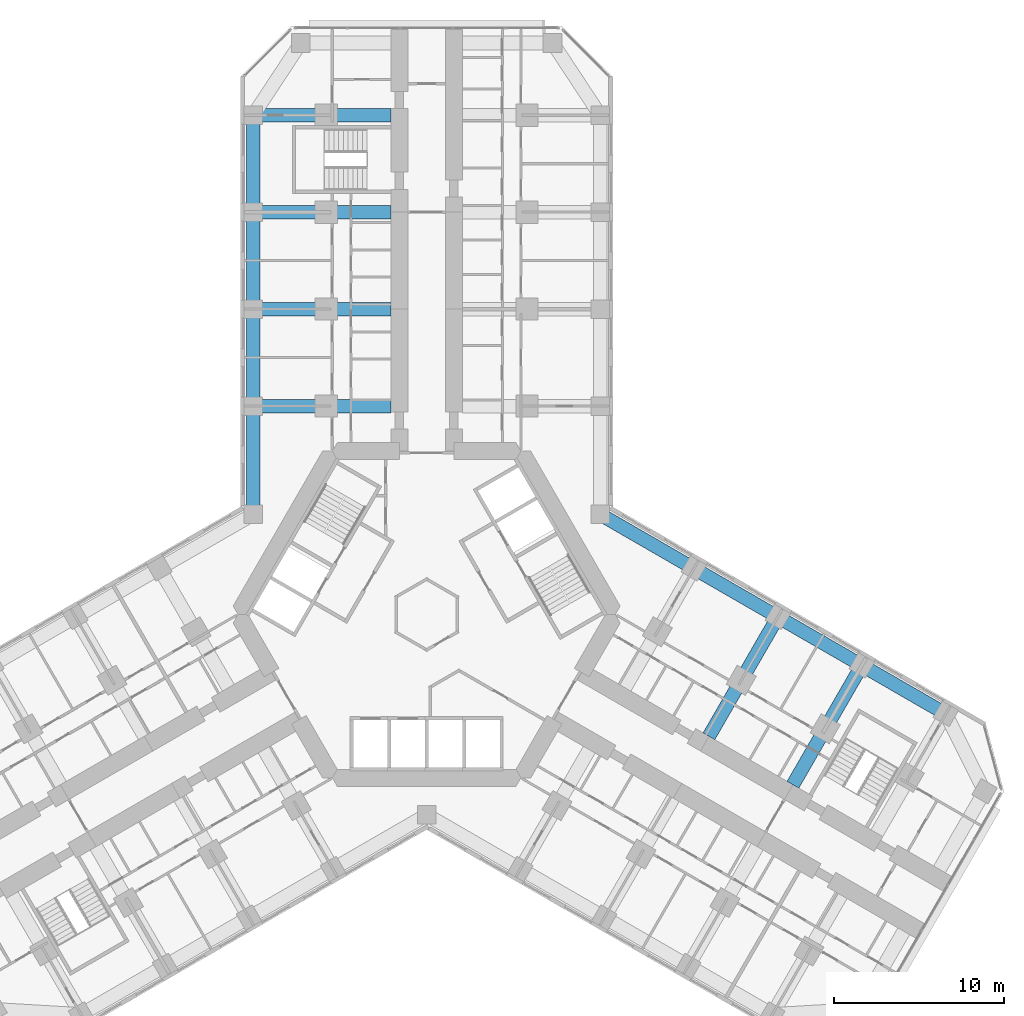
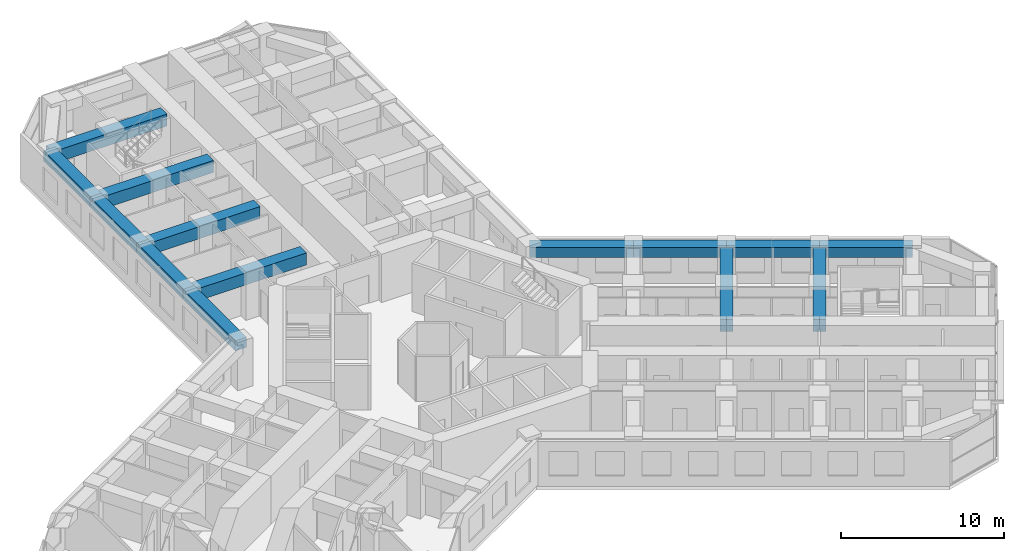
# One storey, part 6 of 21: 14 beams.
"""IFC4 building model written with IfcOpenShell, lengths in metres."""

import ifcopenshell
import ifcopenshell.guid

model = None  # the IFC model being written
_history = None  # IfcOwnerHistory: only IFC2X3 demands one
_inside = {}  # id of a spatial element -> (the spatial element, [elements in it])
_under = {}  # id of a project, library or spatial element -> (it, [spatial elements below it])
_declared = {}  # id of a project -> (the project, [libraries it declares])
_typed = {}  # id of a type object -> (the type object, [elements of that type])
_made_of = {}  # id of a material, layer set ... -> (it, [elements and type objects made of it])


def new_model(schema):
    """Start an empty IFC model of exactly this schema.

    Asked for "IFC4X3", IfcOpenShell would pick the latest addendum, in which some entities
    have other attributes; the version numbers below select the first issue.
    IFC2X3 requires an IfcOwnerHistory on every rooted entity: one is made here for all.
    """
    global model, _history
    if schema == "IFC4X3":
        model = ifcopenshell.file(schema_version=(4, 3, 0, 0))
    else:
        model = ifcopenshell.file(schema=schema)
    _inside.clear()
    _under.clear()
    _declared.clear()
    _typed.clear()
    _made_of.clear()
    _history = None
    if model.schema == "IFC2X3":
        org = make("IfcOrganization", Name="unknown")
        user = make(
            "IfcPersonAndOrganization",
            ThePerson=make("IfcPerson", FamilyName="unknown"),
            TheOrganization=org,
        )
        app = make(
            "IfcApplication",
            ApplicationDeveloper=org,
            Version="unknown",
            ApplicationFullName="unknown",
            ApplicationIdentifier="unknown",
        )
        _history = make(
            "IfcOwnerHistory",
            OwningUser=user,
            OwningApplication=app,
            ChangeAction="ADDED",
            CreationDate=0,
        )
    return model


def make(cls, **values):
    """One entity of the class cls with the attributes given. An attribute that is None is left unset."""
    return model.create_entity(
        cls, **{name: value for name, value in values.items() if value is not None}
    )


def rooted(cls, **values):
    """An entity with a GlobalId (a new one), such as an element, a storey or a relation."""
    return make(cls, GlobalId=ifcopenshell.guid.new(), OwnerHistory=_history, **values)


def si_unit(unit_type, name, prefix=None):
    """IfcSIUnit, for example si_unit("LENGTHUNIT", "METRE", prefix="MILLI")."""
    return make("IfcSIUnit", UnitType=unit_type, Prefix=prefix, Name=name)


def assignment(units):
    """IfcUnitAssignment: the units of a project."""
    return None if units is None else make("IfcUnitAssignment", Units=units)


def point(xyz):
    """IfcCartesianPoint."""
    return None if xyz is None else make("IfcCartesianPoint", Coordinates=xyz)


def direction(xyz):
    """IfcDirection."""
    return None if xyz is None else make("IfcDirection", DirectionRatios=xyz)


def frame(location, z_axis=None, x_axis=None):
    """IfcAxis2Placement3D, a coordinate frame: its origin and axes. An axis left out is left unset."""
    return make(
        "IfcAxis2Placement3D",
        Location=point(location),
        Axis=direction(z_axis),
        RefDirection=direction(x_axis),
    )


def frame_2d(location, x_axis=None):
    """IfcAxis2Placement2D, a coordinate frame in the plane: its origin and x axis."""
    return make(
        "IfcAxis2Placement2D", Location=point(location), RefDirection=direction(x_axis)
    )


def origin():
    """The frame at (0, 0, 0) with its axes left unset."""
    return frame((0.0, 0.0, 0.0))


def origin_2d():
    """The frame at (0, 0) in the plane with its x axis left unset."""
    return frame_2d((0.0, 0.0))


def place(relative_to, where):
    """IfcLocalPlacement: puts the frame where relative to a parent placement (None: the world)."""
    return make(
        "IfcLocalPlacement", PlacementRelTo=relative_to, RelativePlacement=where
    )


def context(
    kind, dimensions, precision=None, world=None, true_north=None, identifier=None
):
    """IfcGeometricRepresentationContext, for example the 3D "Model" context."""
    return make(
        "IfcGeometricRepresentationContext",
        ContextIdentifier=identifier,
        ContextType=kind,
        CoordinateSpaceDimension=dimensions,
        Precision=precision,
        WorldCoordinateSystem=world,
        TrueNorth=true_north,
    )


def subcontext(parent, identifier, kind, view, scale=None):
    """IfcGeometricRepresentationSubContext, for example "Body" below "Model"."""
    return make(
        "IfcGeometricRepresentationSubContext",
        ContextIdentifier=identifier,
        ContextType=kind,
        ParentContext=parent,
        TargetScale=scale,
        TargetView=view,
    )


def project(units=None, contexts=None):
    """IfcProject with its units and contexts."""
    return rooted(
        "IfcProject",
        Name="project",
        RepresentationContexts=contexts,
        UnitsInContext=assignment(units),
    )


def spatial(cls, under=None, at=None, **own):
    """A site, building, storey or space (cls), placed at a placement, below another one or the project."""
    s = rooted(cls, ObjectPlacement=at, **own)
    if under is not None:
        _under.setdefault(under.id(), (under, []))[1].append(s)
    return s


def profile(cls, at=None, kind="AREA", **sizes):
    """A parametric profile (cls). Its sizes go by their IFC names, for example OverallWidth=200.0."""
    return make(cls, ProfileType=kind, Position=at, **sizes)


def rectangle(**sizes):
    """IfcRectangleProfileDef."""
    return profile("IfcRectangleProfileDef", **sizes)


def extrude(swept, where, along, depth):
    """IfcExtrudedAreaSolid: the profile swept, set in the frame where, extruded along a direction by depth."""
    return make(
        "IfcExtrudedAreaSolid",
        SweptArea=swept,
        Position=where,
        ExtrudedDirection=direction(along),
        Depth=depth,
    )


def shape(context_of_items, identifier, shape_type, items):
    """IfcShapeRepresentation: the items that make up one representation, for example the "Body"."""
    return make(
        "IfcShapeRepresentation",
        ContextOfItems=context_of_items,
        RepresentationIdentifier=identifier,
        RepresentationType=shape_type,
        Items=items,
    )


def material(Name=None, Category=None):
    """IfcMaterial."""
    return make("IfcMaterial", Name=Name, Category=Category)


def material_profile(
    of_material, cross_section, Name=None, Category=None, Priority=None
):
    """IfcMaterialProfile: a cross section and its material."""
    return make(
        "IfcMaterialProfile",
        Name=Name,
        Material=of_material,
        Profile=cross_section,
        Priority=Priority,
        Category=Category,
    )


def profile_set(profiles, Name=None, composite=None):
    """IfcMaterialProfileSet."""
    return make(
        "IfcMaterialProfileSet",
        Name=Name,
        MaterialProfiles=profiles,
        CompositeProfile=composite,
    )


def made_of(thing, what):
    """Note that an element or type object is made of a material, layer set ...; save() writes the relation."""
    if what is not None:
        _made_of.setdefault(what.id(), (what, []))[1].append(thing)
    return thing


def type_object(cls, material=None, **own):
    """A type object (cls), such as IfcWallType, which elements share."""
    return made_of(rooted(cls, **own), material)


def element(
    cls,
    number,
    at=None,
    inside=None,
    cuts=None,
    type_object=None,
    material=None,
    context=None,
    identifier="Body",
    shape_type=None,
    held_by="IfcProductDefinitionShape",
    body=None,
    shapes=None,
    **own,
):
    """One element of the class cls, such as IfcWall. Its Tag is "e" and its number.

    at: its placement. inside: the storey or other place that contains it. cuts: it is an
    opening in that element (IfcRelVoidsElement). A single representation is given by context,
    identifier, shape_type and body (its items); several are given by shapes. held_by: the class
    of the entity that holds the representations. save() writes the other relations.
    """
    e = rooted(cls, Tag="e%d" % number, ObjectPlacement=at, **own)
    if body is not None:
        shapes = [shape(context, identifier, shape_type, body)]
    if shapes is not None:
        e.Representation = make(held_by, Representations=shapes)
    if inside is not None:
        _inside.setdefault(inside.id(), (inside, []))[1].append(e)
    if cuts is not None:
        rooted(
            "IfcRelVoidsElement", RelatingBuildingElement=cuts, RelatedOpeningElement=e
        )
    if type_object is not None:
        _typed.setdefault(type_object.id(), (type_object, []))[1].append(e)
    return made_of(e, material)


def aggregate(whole, parts):
    """IfcRelAggregates: a whole, such as a stair, and the parts it consists of."""
    return rooted("IfcRelAggregates", RelatingObject=whole, RelatedObjects=parts)


def save(model, path):
    """Write the relations noted so far, then the file.

    IfcRelAggregates (storeys below a building ...), IfcRelContainedInSpatialStructure (elements
    in a storey), IfcRelDefinesByType, IfcRelAssociatesMaterial and IfcRelDeclares: one each for
    every whole, place, type object, material and project.
    """
    for whole, parts in _under.values():
        aggregate(whole, parts)
    for where, things in _inside.values():
        rooted(
            "IfcRelContainedInSpatialStructure",
            RelatedElements=things,
            RelatingStructure=where,
        )
    for kind, things in _typed.values():
        rooted("IfcRelDefinesByType", RelatedObjects=things, RelatingType=kind)
    for what, things in _made_of.values():
        rooted("IfcRelAssociatesMaterial", RelatedObjects=things, RelatingMaterial=what)
    for by, libraries in _declared.values():
        rooted("IfcRelDeclares", RelatingContext=by, RelatedDefinitions=libraries)
    model.write(path)


model = new_model("IFC4")

# Units and contexts
model_context = context("Model", 3, precision=1e-05, world=origin(), true_north=direction((0.0, 1.0)))
body_context = subcontext(model_context, "Body", "Model", "MODEL_VIEW")
ifc_project = project(units=[si_unit("LENGTHUNIT", "METRE"), si_unit("AREAUNIT", "SQUARE_METRE"), si_unit("VOLUMEUNIT", "CUBIC_METRE"), si_unit("PLANEANGLEUNIT", "RADIAN"), si_unit("MASSUNIT", "GRAM", prefix="KILO")], contexts=[model_context])

# Site, building, storey
site_placement = place(None, origin())
site = spatial("IfcSite", under=ifc_project, at=site_placement, CompositionType="ELEMENT")
building_placement = place(site_placement, origin())
building = spatial("IfcBuilding", under=site, at=building_placement, Name="Kosmar Iwan School Tower", CompositionType="ELEMENT")
storey_placement = place(building_placement, frame((0.0, 0.0, 43.0)))
storey = spatial("IfcBuildingStorey", under=building, at=storey_placement, Name="L09", CompositionType="ELEMENT", Elevation=43.0)

# Beams
ifc_material_1 = material(Name="Concrete C50/60", Category="concrete")
ifc_material_profile_1 = material_profile(ifc_material_1, rectangle(XDim=0.800048828125, YDim=0.75, at=origin_2d()), Name="RC 800x750")
ifc_profile_set_1 = profile_set([ifc_material_profile_1], Name="Concrete C50/60")
beam_type_1 = type_object("IfcBeamType", Name="RC edge beam 800x750", PredefinedType="BEAM", material=ifc_profile_set_1)
beam_1_placement = place(storey_placement, frame((-10.199951171875, 5.888916015625, 2.97509765625), z_axis=(0.0, 1.0, 0.0), x_axis=(-1.0, 0.0, 0.0)))
element("IfcBeam", 1, at=beam_1_placement, inside=storey, type_object=beam_type_1, Name="Edge beam AL1", PredefinedType="BEAM", context=body_context, shape_type="SweptSolid", body=[
    extrude(rectangle(XDim=0.800048828125, YDim=0.75, at=origin_2d()), origin(), (0.0, 0.0, 1.0), 6.361083984375),
])
for number, where, z_axis, x_axis, name in (
    (2, (-10.199951171875, 12.25, 2.97509765625), (0.0, 1.0, 0.0), (-1.0, 0.0, 0.0), "Edge beam AL2"),
    (3, (-10.199951171875, 17.949951171875, 2.97509765625), (0.0, 1.0, 0.0), (-1.0, 0.0, 0.0), "Edge beam AL3"),
):
    element("IfcBeam", number, at=place(storey_placement, frame(where, z_axis=z_axis, x_axis=x_axis)), inside=storey, type_object=beam_type_1, Name=name, PredefinedType="BEAM", context=body_context, shape_type="SweptSolid", body=[
        extrude(rectangle(XDim=0.800048828125, YDim=0.75, at=origin_2d()), origin(), (0.0, 0.0, 1.0), 5.699951171875),
    ])
beam_2_placement = place(storey_placement, frame((-10.199951171875, 23.64990234375, 2.97509765625), z_axis=(0.0, 1.0, 0.0), x_axis=(-1.0, 0.0, 0.0)))
element("IfcBeam", 4, at=beam_2_placement, inside=storey, type_object=beam_type_1, Name="Edge beam AL4", PredefinedType="BEAM", context=body_context, shape_type="SweptSolid", body=[
    extrude(rectangle(XDim=0.800048828125, YDim=0.75, at=origin_2d()), origin(), (0.0, 0.0, 1.0), 5.7001953125),
])
beam_3_placement = place(storey_placement, frame((10.199951171875, 5.888916015625, 2.97509765625), z_axis=(0.866030912664, -0.49999045822, 0.0), x_axis=(0.49999045822, 0.866030912664, 0.0)))
element("IfcBeam", 5, at=beam_3_placement, inside=storey, type_object=beam_type_1, Name="Edge beam CL1", PredefinedType="BEAM", context=body_context, shape_type="SweptSolid", body=[
    extrude(rectangle(XDim=0.800048828125, YDim=0.75, at=origin_2d()), origin(), (0.0, 0.0, 1.0), 6.36083984375),
])
beam_4_placement = place(storey_placement, frame((15.708740234375, 2.70849609375, 2.97509765625), z_axis=(0.866025820012, -0.499999279071, 0.0), x_axis=(0.499999279071, 0.866025820012, 0.0)))
element("IfcBeam", 6, at=beam_4_placement, inside=storey, type_object=beam_type_1, Name="Edge beam CL2", PredefinedType="BEAM", context=body_context, shape_type="SweptSolid", body=[
    extrude(rectangle(XDim=0.800048828125, YDim=0.75, at=origin_2d()), origin(), (0.0, 0.0, 1.0), 5.7001953125),
])
for number, where, z_axis, x_axis, name in (
    (7, (20.645263671875, -0.1416015625, 2.97509765625), (0.866033658841, -0.49998570155, 0.0), (0.49998570155, 0.866033658841, 0.0), "Edge beam CL3"),
    (8, (25.58154296875, -2.991455078125, 2.97509765625), (0.866015111908, -0.50001782563, 0.0), (0.50001782563, 0.866015111908, 0.0), "Edge beam CL4"),
):
    element("IfcBeam", number, at=place(storey_placement, frame(where, z_axis=z_axis, x_axis=x_axis)), inside=storey, type_object=beam_type_1, Name=name, PredefinedType="BEAM", context=body_context, shape_type="SweptSolid", body=[
        extrude(rectangle(XDim=0.800048828125, YDim=0.75, at=origin_2d()), origin(), (0.0, 0.0, 1.0), 5.699951171875),
    ])
ifc_material_2 = material(Name="Concrete C50/60", Category="concrete")
ifc_material_profile_2 = material_profile(ifc_material_2, rectangle(XDim=0.800048828125, YDim=0.89990234375, at=origin_2d()), Name="RC 800x900")
ifc_profile_set_2 = profile_set([ifc_material_profile_2], Name="Concrete C50/60")
beam_type_2 = type_object("IfcBeamType", Name="RC transverse beam 800x900", PredefinedType="BEAM", material=ifc_profile_set_2)
for number, where, z_axis, x_axis, name in (
    (9, (-10.199951171875, 12.25, 2.89990234375), (1.0, 0.0, 0.0), (0.0, 1.0, 0.0), "Transverse beam AL1"),
    (10, (-10.199951171875, 17.949951171875, 2.89990234375), (1.0, 0.0, 0.0), (0.0, 1.0, 0.0), "Transverse beam AL2"),
    (11, (-10.199951171875, 23.64990234375, 2.89990234375), (1.0, 0.0, 0.0), (0.0, 1.0, 0.0), "Transverse beam AL3"),
    (12, (-10.199951171875, 29.35009765625, 2.89990234375), (1.0, 0.0, 0.0), (0.0, 1.0, 0.0), "Transverse beam AL4"),
    (13, (20.645263671875, -0.1416015625, 2.89990234375), (-0.500012932018, -0.866017937352, 0.0), (0.866017937352, -0.500012932018, 0.0), "Transverse beam CL2"),
):
    element("IfcBeam", number, at=place(storey_placement, frame(where, z_axis=z_axis, x_axis=x_axis)), inside=storey, type_object=beam_type_2, Name=name, PredefinedType="BEAM", context=body_context, shape_type="SweptSolid", body=[
        extrude(rectangle(XDim=0.800048828125, YDim=0.89990234375, at=origin_2d()), origin(), (0.0, 0.0, 1.0), 8.099853515625),
    ])
beam_5_placement = place(storey_placement, frame((25.58154296875, -2.991455078125, 2.89990234375), z_axis=(-0.499999880539, -0.866025472755, 0.0), x_axis=(0.866025472755, -0.499999880539, 0.0)))
element("IfcBeam", 14, at=beam_5_placement, inside=storey, type_object=beam_type_2, Name="Transverse beam CL3", PredefinedType="BEAM", context=body_context, shape_type="SweptSolid", body=[
    extrude(rectangle(XDim=0.800048828125, YDim=0.89990234375, at=origin_2d()), origin(), (0.0, 0.0, 1.0), 8.10009765625),
])

save(model, "model.ifc")
